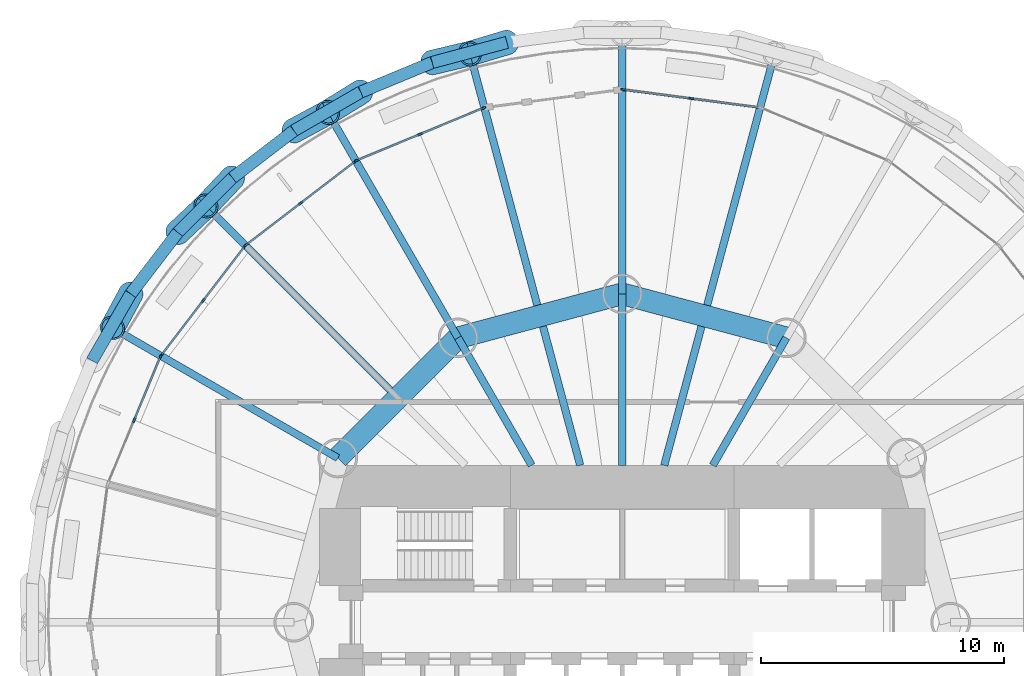
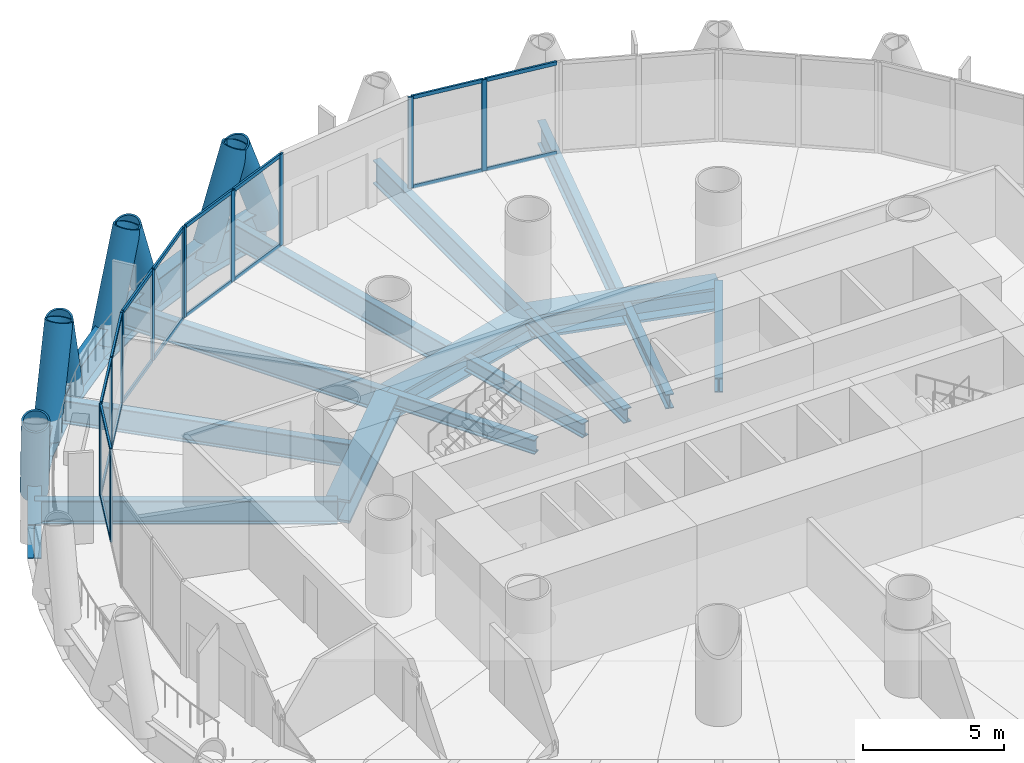
# One storey, part 6 of 15: 38 members, 21 beams, 5 elements without a shape of their own.
"""IFC4 building model written with IfcOpenShell, lengths in metres."""

from ifc_helpers import new_model, si_unit, direction, frame, origin, origin_2d, place, context, subcontext, project, spatial, rectangle, hollow_circle, i_section, extrude, material, material_profile, profile_set, type_object, element, aggregate, save


model = new_model("IFC4")

# Units and contexts
model_context = context("Model", 3, precision=1e-05, world=origin(), true_north=direction((0.0, 1.0)))
body_context = subcontext(model_context, "Body", "Model", "MODEL_VIEW")
ifc_project = project(units=[si_unit("LENGTHUNIT", "METRE"), si_unit("AREAUNIT", "SQUARE_METRE"), si_unit("VOLUMEUNIT", "CUBIC_METRE"), si_unit("PLANEANGLEUNIT", "RADIAN"), si_unit("MASSUNIT", "GRAM", prefix="KILO")], contexts=[model_context])

# Site, building, storey
site_placement = place(None, origin())
site = spatial("IfcSite", under=ifc_project, at=site_placement, CompositionType="ELEMENT")
building_placement = place(site_placement, origin())
building = spatial("IfcBuilding", under=site, at=building_placement, Name="Qaws Media Tower", CompositionType="ELEMENT")
storey_placement = place(building_placement, frame((0.0, 0.0, 189.800048828125)))
storey = spatial("IfcBuildingStorey", under=building, at=storey_placement, Name="L43", CompositionType="ELEMENT", Elevation=189.800048828125)

# Curtain wall, members
ifc_material_1 = material(Name="Aluminium and clear glass", Category="aluminium")
curtain_wall_type = type_object("IfcCurtainWallType", Name="Unitised curtain wall CW-B", PredefinedType="NOTDEFINED", material=ifc_material_1)
curtain_wall_1_placement = place(storey_placement, origin())
curtain_wall_1 = element("IfcCurtainWall", 1, at=curtain_wall_1_placement, inside=storey, type_object=curtain_wall_type, Name="CWB curtain wall L43-06", PredefinedType="NOTDEFINED")
ifc_material_2 = material(Name="Aluminium mullion", Category="aluminium")
ifc_material_profile_1 = material_profile(ifc_material_2, rectangle(XDim=0.080078125, YDim=0.199951171875, at=origin_2d()), Name="80x200")
ifc_profile_set_1 = profile_set([ifc_material_profile_1], Name="Aluminium mullion")
member_type_1 = type_object("IfcMemberType", Name="Curtain wall mullion 80x200", PredefinedType="MULLION", material=ifc_profile_set_1)
member_1_placement = place(storey_placement, frame((62.833984375, 71.52685546875, 0.0), z_axis=(0.0, 0.0, 1.0), x_axis=(-0.1305261247, -0.991444870263, 0.0)))
member_1 = element("IfcMember", 2, at=member_1_placement, type_object=member_type_1, Name="CWB mullion 2", PredefinedType="MULLION", context=body_context, shape_type="SweptSolid", body=[
    extrude(rectangle(XDim=0.080078125, YDim=0.199951171875, at=origin_2d()), origin(), (0.0, 0.0, 1.0), 3.949951171875),
])
member_2_placement = place(storey_placement, frame((60.03955078125, 71.894775390625, 0.0), z_axis=(0.0, 0.0, 1.0), x_axis=(-0.1305261247, -0.991444870263, 0.0)))
member_2 = element("IfcMember", 3, at=member_2_placement, type_object=member_type_1, Name="CWB mullion 3", PredefinedType="MULLION", context=body_context, shape_type="SweptSolid", body=[
    extrude(rectangle(XDim=0.080078125, YDim=0.199951171875, at=origin_2d()), origin(), (0.0, 0.0, 1.0), 3.949951171875),
])

curtain_wall_2_placement = place(storey_placement, origin())
curtain_wall_2 = element("IfcCurtainWall", 4, at=curtain_wall_2_placement, inside=storey, type_object=curtain_wall_type, Name="CWB curtain wall L43-08", PredefinedType="NOTDEFINED")
member_3_placement = place(storey_placement, frame((54.294921875, 71.138427734375, 0.0), z_axis=(0.0, 0.0, 1.0), x_axis=(0.382683538482, -0.923879488556, 0.0)))
member_3 = element("IfcMember", 5, at=member_3_placement, type_object=member_type_1, Name="CWB mullion 1", PredefinedType="MULLION", context=body_context, shape_type="SweptSolid", body=[
    extrude(rectangle(XDim=0.080078125, YDim=0.199951171875, at=origin_2d()), origin(), (0.0, 0.0, 1.0), 3.949951171875),
])
member_4_placement = place(storey_placement, frame((51.69091796875, 70.059814453125, 0.0), z_axis=(0.0, 0.0, 1.0), x_axis=(0.382683538482, -0.923879488556, 0.0)))
member_4 = element("IfcMember", 6, at=member_4_placement, type_object=member_type_1, Name="CWB mullion 2", PredefinedType="MULLION", context=body_context, shape_type="SweptSolid", body=[
    extrude(rectangle(XDim=0.080078125, YDim=0.199951171875, at=origin_2d()), origin(), (0.0, 0.0, 1.0), 3.949951171875),
])
member_5_placement = place(storey_placement, frame((49.0869140625, 68.981201171875, 0.0), z_axis=(0.0, 0.0, 1.0), x_axis=(0.382683538482, -0.923879488556, 0.0)))
member_5 = element("IfcMember", 7, at=member_5_placement, type_object=member_type_1, Name="CWB mullion 3", PredefinedType="MULLION", context=body_context, shape_type="SweptSolid", body=[
    extrude(rectangle(XDim=0.080078125, YDim=0.199951171875, at=origin_2d()), origin(), (0.0, 0.0, 1.0), 3.949951171875),
])

curtain_wall_3_placement = place(storey_placement, origin())
curtain_wall_3 = element("IfcCurtainWall", 8, at=curtain_wall_3_placement, inside=storey, type_object=curtain_wall_type, Name="CWB curtain wall L43-09", PredefinedType="NOTDEFINED")
member_6_placement = place(storey_placement, frame((49.018310546875, 68.941650390625, 0.0), z_axis=(0.0, 0.0, 1.0), x_axis=(0.608761295527, -0.793353442715, 0.0)))
member_6 = element("IfcMember", 9, at=member_6_placement, type_object=member_type_1, Name="CWB mullion 1", PredefinedType="MULLION", context=body_context, shape_type="SweptSolid", body=[
    extrude(rectangle(XDim=0.080078125, YDim=0.199951171875, at=origin_2d()), origin(), (0.0, 0.0, 1.0), 3.949951171875),
])
member_7_placement = place(storey_placement, frame((46.7822265625, 67.225830078125, 0.0), z_axis=(0.0, 0.0, 1.0), x_axis=(0.608761295527, -0.793353442715, 0.0)))
member_7 = element("IfcMember", 10, at=member_7_placement, type_object=member_type_1, Name="CWB mullion 2", PredefinedType="MULLION", context=body_context, shape_type="SweptSolid", body=[
    extrude(rectangle(XDim=0.080078125, YDim=0.199951171875, at=origin_2d()), origin(), (0.0, 0.0, 1.0), 3.949951171875),
])
member_8_placement = place(storey_placement, frame((44.546142578125, 65.510009765625, 0.0), z_axis=(0.0, 0.0, 1.0), x_axis=(0.608761295527, -0.793353442715, 0.0)))
member_8 = element("IfcMember", 11, at=member_8_placement, type_object=member_type_1, Name="CWB mullion 3", PredefinedType="MULLION", context=body_context, shape_type="SweptSolid", body=[
    extrude(rectangle(XDim=0.080078125, YDim=0.199951171875, at=origin_2d()), origin(), (0.0, 0.0, 1.0), 3.949951171875),
])

curtain_wall_4_placement = place(storey_placement, origin())
curtain_wall_4 = element("IfcCurtainWall", 12, at=curtain_wall_4_placement, inside=storey, type_object=curtain_wall_type, Name="CWB curtain wall L43-10", PredefinedType="NOTDEFINED")
member_9_placement = place(storey_placement, frame((44.489990234375, 65.453857421875, 0.0), z_axis=(0.0, 0.0, 1.0), x_axis=(0.793353442715, -0.608761295527, 0.0)))
member_9 = element("IfcMember", 13, at=member_9_placement, type_object=member_type_1, Name="CWB mullion 1", PredefinedType="MULLION", context=body_context, shape_type="SweptSolid", body=[
    extrude(rectangle(XDim=0.080078125, YDim=0.199951171875, at=origin_2d()), origin(), (0.0, 0.0, 1.0), 3.949951171875),
])
member_10_placement = place(storey_placement, frame((42.774169921875, 63.2177734375, 0.0), z_axis=(0.0, 0.0, 1.0), x_axis=(0.793353442715, -0.608761295527, 0.0)))
member_10 = element("IfcMember", 14, at=member_10_placement, type_object=member_type_1, Name="CWB mullion 2", PredefinedType="MULLION", context=body_context, shape_type="SweptSolid", body=[
    extrude(rectangle(XDim=0.080078125, YDim=0.199951171875, at=origin_2d()), origin(), (0.0, 0.0, 1.0), 3.949951171875),
])
member_11_placement = place(storey_placement, frame((41.058349609375, 60.981689453125, 0.0), z_axis=(0.0, 0.0, 1.0), x_axis=(0.793353442715, -0.608761295527, 0.0)))
member_11 = element("IfcMember", 15, at=member_11_placement, type_object=member_type_1, Name="CWB mullion 3", PredefinedType="MULLION", context=body_context, shape_type="SweptSolid", body=[
    extrude(rectangle(XDim=0.080078125, YDim=0.199951171875, at=origin_2d()), origin(), (0.0, 0.0, 1.0), 3.949951171875),
])

curtain_wall_5_placement = place(storey_placement, origin())
curtain_wall_5 = element("IfcCurtainWall", 16, at=curtain_wall_5_placement, inside=storey, type_object=curtain_wall_type, Name="CWB curtain wall L43-11", PredefinedType="NOTDEFINED")
member_12_placement = place(storey_placement, frame((41.018798828125, 60.9130859375, 0.0), z_axis=(0.0, 0.0, 1.0), x_axis=(0.923879488556, -0.382683538482, 0.0)))
member_12 = element("IfcMember", 17, at=member_12_placement, type_object=member_type_1, Name="CWB mullion 1", PredefinedType="MULLION", context=body_context, shape_type="SweptSolid", body=[
    extrude(rectangle(XDim=0.080078125, YDim=0.199951171875, at=origin_2d()), origin(), (0.0, 0.0, 1.0), 3.949951171875),
])
member_13_placement = place(storey_placement, frame((39.940185546875, 58.30908203125, 0.0), z_axis=(0.0, 0.0, 1.0), x_axis=(0.923879488556, -0.382683538482, 0.0)))
member_13 = element("IfcMember", 18, at=member_13_placement, type_object=member_type_1, Name="CWB mullion 2", PredefinedType="MULLION", context=body_context, shape_type="SweptSolid", body=[
    extrude(rectangle(XDim=0.080078125, YDim=0.199951171875, at=origin_2d()), origin(), (0.0, 0.0, 1.0), 3.949951171875),
])

# Member
ifc_material_3 = material(Name="Aluminium transom", Category="aluminium")
ifc_material_profile_2 = material_profile(ifc_material_3, rectangle(XDim=0.080078125, YDim=0.159912109375, at=origin_2d()), Name="80x160")
ifc_profile_set_2 = profile_set([ifc_material_profile_2], Name="Aluminium transom")
member_type_2 = type_object("IfcMemberType", Name="Curtain wall transom 80x160", PredefinedType="USERDEFINED", material=ifc_profile_set_2)
member_14_placement = place(storey_placement, frame((65.5888671875, 71.164306640625, 0.0400390625), z_axis=(-0.991446100695, 0.130516778295, 0.0), x_axis=(-0.130516778295, -0.991446100695, 0.0)))
member_14 = element("IfcMember", 19, at=member_14_placement, type_object=member_type_2, Name="CWB transom 1.1", ObjectType="TRANSOM", PredefinedType="USERDEFINED", context=body_context, shape_type="SweptSolid", body=[
    extrude(rectangle(XDim=0.080078125, YDim=0.159912109375, at=origin_2d()), origin(), (0.0, 0.0, 1.0), 2.738525390625),
])

member_15_placement = place(storey_placement, frame((65.5888671875, 71.164306640625, 3.909912109375), z_axis=(-0.991446100695, 0.130516778295, 0.0), x_axis=(-0.130516778295, -0.991446100695, 0.0)))
member_15 = element("IfcMember", 20, at=member_15_placement, type_object=member_type_2, Name="CWB transom 1.2", ObjectType="TRANSOM", PredefinedType="USERDEFINED", context=body_context, shape_type="SweptSolid", body=[
    extrude(rectangle(XDim=0.080078125, YDim=0.159912109375, at=origin_2d()), origin(), (0.0, 0.0, 1.0), 2.738525390625),
])

member_16_placement = place(storey_placement, frame((62.79443359375, 71.5322265625, 0.0400390625), z_axis=(-0.991446100695, 0.130516778295, 0.0), x_axis=(-0.130516778295, -0.991446100695, 0.0)))
member_16 = element("IfcMember", 21, at=member_16_placement, type_object=member_type_2, Name="CWB transom 2.1", ObjectType="TRANSOM", PredefinedType="USERDEFINED", context=body_context, shape_type="SweptSolid", body=[
    extrude(rectangle(XDim=0.080078125, YDim=0.159912109375, at=origin_2d()), origin(), (0.0, 0.0, 1.0), 2.738525390625),
])

member_17_placement = place(storey_placement, frame((62.79443359375, 71.5322265625, 3.909912109375), z_axis=(-0.991446100695, 0.130516778295, 0.0), x_axis=(-0.130516778295, -0.991446100695, 0.0)))
member_17 = element("IfcMember", 22, at=member_17_placement, type_object=member_type_2, Name="CWB transom 2.2", ObjectType="TRANSOM", PredefinedType="USERDEFINED", context=body_context, shape_type="SweptSolid", body=[
    extrude(rectangle(XDim=0.080078125, YDim=0.159912109375, at=origin_2d()), origin(), (0.0, 0.0, 1.0), 2.738525390625),
])

aggregate(curtain_wall_1, [member_1, member_2, member_14, member_15, member_16, member_17])

member_18_placement = place(storey_placement, frame((54.258056640625, 71.123046875, 0.0400390625), z_axis=(-0.923908190995, -0.382614237336, 0.0), x_axis=(0.382614237336, -0.923908190995, 0.0)))
member_18 = element("IfcMember", 23, at=member_18_placement, type_object=member_type_2, Name="CWB transom 1.1", ObjectType="TRANSOM", PredefinedType="USERDEFINED", context=body_context, shape_type="SweptSolid", body=[
    extrude(rectangle(XDim=0.080078125, YDim=0.159912109375, at=origin_2d()), origin(), (0.0, 0.0, 1.0), 2.73876953125),
])

member_19_placement = place(storey_placement, frame((54.258056640625, 71.123046875, 3.909912109375), z_axis=(-0.923908190995, -0.382614237336, 0.0), x_axis=(0.382614237336, -0.923908190995, 0.0)))
member_19 = element("IfcMember", 24, at=member_19_placement, type_object=member_type_2, Name="CWB transom 1.2", ObjectType="TRANSOM", PredefinedType="USERDEFINED", context=body_context, shape_type="SweptSolid", body=[
    extrude(rectangle(XDim=0.080078125, YDim=0.159912109375, at=origin_2d()), origin(), (0.0, 0.0, 1.0), 2.73876953125),
])

member_20_placement = place(storey_placement, frame((51.654052734375, 70.044677734375, 0.0400390625), z_axis=(-0.923863619066, -0.382721848562, 0.0), x_axis=(0.382721848562, -0.923863619066, 0.0)))
member_20 = element("IfcMember", 25, at=member_20_placement, type_object=member_type_2, Name="CWB transom 2.1", ObjectType="TRANSOM", PredefinedType="USERDEFINED", context=body_context, shape_type="SweptSolid", body=[
    extrude(rectangle(XDim=0.080078125, YDim=0.159912109375, at=origin_2d()), origin(), (0.0, 0.0, 1.0), 2.738525390625),
])

member_21_placement = place(storey_placement, frame((51.654052734375, 70.044677734375, 3.909912109375), z_axis=(-0.923863619066, -0.382721848562, 0.0), x_axis=(0.382721848562, -0.923863619066, 0.0)))
member_21 = element("IfcMember", 26, at=member_21_placement, type_object=member_type_2, Name="CWB transom 2.2", ObjectType="TRANSOM", PredefinedType="USERDEFINED", context=body_context, shape_type="SweptSolid", body=[
    extrude(rectangle(XDim=0.080078125, YDim=0.159912109375, at=origin_2d()), origin(), (0.0, 0.0, 1.0), 2.738525390625),
])

aggregate(curtain_wall_2, [member_3, member_4, member_5, member_18, member_19, member_20, member_21])

member_22_placement = place(storey_placement, frame((48.986572265625, 68.917236328125, 0.0400390625), z_axis=(-0.793372408644, -0.608736577842, 0.0), x_axis=(0.608736577842, -0.793372408644, 0.0)))
member_22 = element("IfcMember", 27, at=member_22_placement, type_object=member_type_2, Name="CWB transom 1.1", ObjectType="TRANSOM", PredefinedType="USERDEFINED", context=body_context, shape_type="SweptSolid", body=[
    extrude(rectangle(XDim=0.080078125, YDim=0.159912109375, at=origin_2d()), origin(), (0.0, 0.0, 1.0), 2.738525390625),
])

member_23_placement = place(storey_placement, frame((48.986572265625, 68.917236328125, 3.909912109375), z_axis=(-0.793372408644, -0.608736577842, 0.0), x_axis=(0.608736577842, -0.793372408644, 0.0)))
member_23 = element("IfcMember", 28, at=member_23_placement, type_object=member_type_2, Name="CWB transom 1.2", ObjectType="TRANSOM", PredefinedType="USERDEFINED", context=body_context, shape_type="SweptSolid", body=[
    extrude(rectangle(XDim=0.080078125, YDim=0.159912109375, at=origin_2d()), origin(), (0.0, 0.0, 1.0), 2.738525390625),
])

member_24_placement = place(storey_placement, frame((46.75048828125, 67.201416015625, 0.0400390625), z_axis=(-0.793372408644, -0.608736577842, 0.0), x_axis=(0.608736577842, -0.793372408644, 0.0)))
member_24 = element("IfcMember", 29, at=member_24_placement, type_object=member_type_2, Name="CWB transom 2.1", ObjectType="TRANSOM", PredefinedType="USERDEFINED", context=body_context, shape_type="SweptSolid", body=[
    extrude(rectangle(XDim=0.080078125, YDim=0.159912109375, at=origin_2d()), origin(), (0.0, 0.0, 1.0), 2.738525390625),
])

member_25_placement = place(storey_placement, frame((46.75048828125, 67.201416015625, 3.909912109375), z_axis=(-0.793372408644, -0.608736577842, 0.0), x_axis=(0.608736577842, -0.793372408644, 0.0)))
member_25 = element("IfcMember", 30, at=member_25_placement, type_object=member_type_2, Name="CWB transom 2.2", ObjectType="TRANSOM", PredefinedType="USERDEFINED", context=body_context, shape_type="SweptSolid", body=[
    extrude(rectangle(XDim=0.080078125, YDim=0.159912109375, at=origin_2d()), origin(), (0.0, 0.0, 1.0), 2.738525390625),
])

aggregate(curtain_wall_3, [member_6, member_7, member_8, member_22, member_23, member_24, member_25])

member_26_placement = place(storey_placement, frame((44.465576171875, 65.422119140625, 0.0400390625), z_axis=(-0.608736577842, -0.793372408644, 0.0), x_axis=(0.793372408644, -0.608736577842, 0.0)))
member_26 = element("IfcMember", 31, at=member_26_placement, type_object=member_type_2, Name="CWB transom 1.1", ObjectType="TRANSOM", PredefinedType="USERDEFINED", context=body_context, shape_type="SweptSolid", body=[
    extrude(rectangle(XDim=0.080078125, YDim=0.159912109375, at=origin_2d()), origin(), (0.0, 0.0, 1.0), 2.738525390625),
])

member_27_placement = place(storey_placement, frame((44.465576171875, 65.422119140625, 3.909912109375), z_axis=(-0.608736577842, -0.793372408644, 0.0), x_axis=(0.793372408644, -0.608736577842, 0.0)))
member_27 = element("IfcMember", 32, at=member_27_placement, type_object=member_type_2, Name="CWB transom 1.2", ObjectType="TRANSOM", PredefinedType="USERDEFINED", context=body_context, shape_type="SweptSolid", body=[
    extrude(rectangle(XDim=0.080078125, YDim=0.159912109375, at=origin_2d()), origin(), (0.0, 0.0, 1.0), 2.738525390625),
])

member_28_placement = place(storey_placement, frame((42.749755859375, 63.18603515625, 0.0400390625), z_axis=(-0.608736577842, -0.793372408644, 0.0), x_axis=(0.793372408644, -0.608736577842, 0.0)))
member_28 = element("IfcMember", 33, at=member_28_placement, type_object=member_type_2, Name="CWB transom 2.1", ObjectType="TRANSOM", PredefinedType="USERDEFINED", context=body_context, shape_type="SweptSolid", body=[
    extrude(rectangle(XDim=0.080078125, YDim=0.159912109375, at=origin_2d()), origin(), (0.0, 0.0, 1.0), 2.738525390625),
])

member_29_placement = place(storey_placement, frame((42.749755859375, 63.18603515625, 3.909912109375), z_axis=(-0.608736577842, -0.793372408644, 0.0), x_axis=(0.793372408644, -0.608736577842, 0.0)))
member_29 = element("IfcMember", 34, at=member_29_placement, type_object=member_type_2, Name="CWB transom 2.2", ObjectType="TRANSOM", PredefinedType="USERDEFINED", context=body_context, shape_type="SweptSolid", body=[
    extrude(rectangle(XDim=0.080078125, YDim=0.159912109375, at=origin_2d()), origin(), (0.0, 0.0, 1.0), 2.738525390625),
])

aggregate(curtain_wall_4, [member_9, member_10, member_11, member_26, member_27, member_28, member_29])

member_30_placement = place(storey_placement, frame((41.00341796875, 60.8759765625, 0.0400390625), z_axis=(-0.382721848562, -0.923863619066, 0.0), x_axis=(0.923863619066, -0.382721848562, 0.0)))
member_30 = element("IfcMember", 35, at=member_30_placement, type_object=member_type_2, Name="CWB transom 1.1", ObjectType="TRANSOM", PredefinedType="USERDEFINED", context=body_context, shape_type="SweptSolid", body=[
    extrude(rectangle(XDim=0.080078125, YDim=0.159912109375, at=origin_2d()), origin(), (0.0, 0.0, 1.0), 2.738525390625),
])

member_31_placement = place(storey_placement, frame((41.00341796875, 60.8759765625, 3.909912109375), z_axis=(-0.382721848562, -0.923863619066, 0.0), x_axis=(0.923863619066, -0.382721848562, 0.0)))
member_31 = element("IfcMember", 36, at=member_31_placement, type_object=member_type_2, Name="CWB transom 1.2", ObjectType="TRANSOM", PredefinedType="USERDEFINED", context=body_context, shape_type="SweptSolid", body=[
    extrude(rectangle(XDim=0.080078125, YDim=0.159912109375, at=origin_2d()), origin(), (0.0, 0.0, 1.0), 2.738525390625),
])

aggregate(curtain_wall_5, [member_12, member_13, member_30, member_31])

# Members
ifc_material_4 = material(Name="Steel S460", Category="steel")
ifc_material_profile_3 = material_profile(ifc_material_4, hollow_circle(Radius=0.508056640625, WallThickness=0.070068359375, at=origin_2d()), Name="CHS 1016x70")
ifc_profile_set_3 = profile_set([ifc_material_profile_3], Name="Steel S460")
member_type_3 = type_object("IfcMemberType", Name="Diagrid member CHS 1016x70", PredefinedType="USERDEFINED", material=ifc_profile_set_3)
for number, where, z_axis, x_axis, name in (
    (37, (55.25927734375, 73.8330078125, -0.91015625), (-0.345525971194, -0.103818449578, 0.932648665231), (0.287756392194, -0.957703638268, 0.0), "DG3 diagrid L43 A07"),
    (38, (49.25244140625, 71.7939453125, -0.91015625), (-0.306907804695, -0.189739933408, 0.932634096035), (0.52585239263, -0.850575840925, 0.0), "DG3 diagrid L43 A08"),
    (39, (52.18896484375, 73.010498046875, -0.91015625), (0.351173528591, 0.082821332267, 0.93264021988), (-0.229544227217, 0.973298231659, 0.0), "DG3 diagrid L43 B08"),
    (40, (43.977783203125, 68.269775390625, -0.91015625), (-0.247302170828, -0.262703157273, 0.932646067628), (0.72812786304, -0.685441328682, 0.0), "DG3 diagrid L43 A09"),
):
    element("IfcMember", number, at=place(storey_placement, frame(where, z_axis=z_axis, x_axis=x_axis)), inside=storey, type_object=member_type_3, Name=name, ObjectType="DIAGRID", PredefinedType="USERDEFINED", context=body_context, shape_type="SweptSolid", body=[
        extrude(hollow_circle(Radius=0.508056640625, WallThickness=0.070068359375, at=origin_2d()), origin(), (0.0, 0.0, 1.0), 4.406982421875),
    ])
for number, where, z_axis, x_axis, name in (
    (41, (46.499755859375, 70.204833984375, -0.91015625), (0.317720727472, 0.170854528949, 0.932664070967), (-0.473614380652, 0.880732319402, 0.0), "DG3 diagrid L43 B09"),
    (42, (39.795166015625, 63.500244140625, -0.91015625), (-0.170854528949, -0.317720727472, 0.932664070967), (0.880732319402, -0.473614380652, 0.0), "DG3 diagrid L43 A10"),
):
    element("IfcMember", number, at=place(storey_placement, frame(where, z_axis=z_axis, x_axis=x_axis)), inside=storey, type_object=member_type_3, Name=name, ObjectType="DIAGRID", PredefinedType="USERDEFINED", context=body_context, shape_type="SweptSolid", body=[
        extrude(hollow_circle(Radius=0.508056640625, WallThickness=0.070068359375, at=origin_2d()), origin(), (0.0, 0.0, 1.0), 4.40673828125),
    ])
member_32_placement = place(storey_placement, frame((41.730224609375, 66.022216796875, -0.91015625), z_axis=(0.262703157273, 0.247302170828, 0.932646067628), x_axis=(-0.685441328682, 0.72812786304, 0.0)))
element("IfcMember", 43, at=member_32_placement, inside=storey, type_object=member_type_3, Name="DG3 diagrid L43 B10", ObjectType="DIAGRID", PredefinedType="USERDEFINED", context=body_context, shape_type="SweptSolid", body=[
    extrude(hollow_circle(Radius=0.508056640625, WallThickness=0.070068359375, at=origin_2d()), origin(), (0.0, 0.0, 1.0), 4.406982421875),
])

# Beams
ifc_material_5 = material(Name="Steel S460", Category="steel")
ifc_material_profile_4 = material_profile(ifc_material_5, i_section(OverallWidth=0.5, OverallDepth=1.5, WebThickness=0.02001953125, FlangeThickness=0.0400390625, at=origin_2d()), Name="PG 1500x500")
ifc_profile_set_4 = profile_set([ifc_material_profile_4], Name="Steel S460")
beam_type_1 = type_object("IfcBeamType", Name="Edge ring beam PG 1500x500", PredefinedType="BEAM", material=ifc_profile_set_4)
for number, where, z_axis, x_axis, name in (
    (44, (55.25927734375, 73.8330078125, -0.91015625), (-0.965939824014, -0.258766799229, 0.0), (0.258766799229, -0.965939824014, 0.0), "RB4 edge ring beam L43-14"),
    (45, (52.18896484375, 73.010498046875, -0.91015625), (-0.923856739586, -0.382738454719, 0.0), (0.382738454719, -0.923856739586, 0.0), "RB4 edge ring beam L43-15"),
    (46, (49.25244140625, 71.7939453125, -0.91015625), (-0.866046166898, -0.499964035507, 0.0), (0.499964035507, -0.866046166898, 0.0), "RB4 edge ring beam L43-16"),
):
    element("IfcBeam", number, at=place(storey_placement, frame(where, z_axis=z_axis, x_axis=x_axis)), inside=storey, type_object=beam_type_1, Name=name, PredefinedType="BEAM", context=body_context, shape_type="SweptSolid", body=[
        extrude(i_section(OverallWidth=0.5, OverallDepth=1.5, WebThickness=0.02001953125, FlangeThickness=0.0400390625, at=origin_2d()), origin(), (0.0, 0.0, 1.0), 3.178466796875),
    ])
beam_1_placement = place(storey_placement, frame((46.499755859375, 70.204833984375, -0.91015625), z_axis=(-0.7933714333, -0.608737849016, 0.0), x_axis=(0.608737849016, -0.7933714333, 0.0)))
element("IfcBeam", 47, at=beam_1_placement, inside=storey, type_object=beam_type_1, Name="RB4 edge ring beam L43-17", PredefinedType="BEAM", context=body_context, shape_type="SweptSolid", body=[
    extrude(i_section(OverallWidth=0.5, OverallDepth=1.5, WebThickness=0.02001953125, FlangeThickness=0.0400390625, at=origin_2d()), origin(), (0.0, 0.0, 1.0), 3.1787109375),
])
beam_2_placement = place(storey_placement, frame((43.977783203125, 68.269775390625, -0.91015625), z_axis=(-0.707106781187, -0.707106781187, 0.0), x_axis=(0.707106781187, -0.707106781187, 0.0)))
element("IfcBeam", 48, at=beam_2_placement, inside=storey, type_object=beam_type_1, Name="RB4 edge ring beam L43-18", PredefinedType="BEAM", context=body_context, shape_type="SweptSolid", body=[
    extrude(i_section(OverallWidth=0.5, OverallDepth=1.5, WebThickness=0.02001953125, FlangeThickness=0.0400390625, at=origin_2d()), origin(), (0.0, 0.0, 1.0), 3.178466796875),
])
beam_3_placement = place(storey_placement, frame((41.730224609375, 66.022216796875, -0.91015625), z_axis=(-0.608737849016, -0.7933714333, 0.0), x_axis=(0.7933714333, -0.608737849016, 0.0)))
element("IfcBeam", 49, at=beam_3_placement, inside=storey, type_object=beam_type_1, Name="RB4 edge ring beam L43-19", PredefinedType="BEAM", context=body_context, shape_type="SweptSolid", body=[
    extrude(i_section(OverallWidth=0.5, OverallDepth=1.5, WebThickness=0.02001953125, FlangeThickness=0.0400390625, at=origin_2d()), origin(), (0.0, 0.0, 1.0), 3.1787109375),
])
beam_4_placement = place(storey_placement, frame((39.795166015625, 63.500244140625, -0.91015625), z_axis=(-0.499964035507, -0.866046166898, 0.0), x_axis=(0.866046166898, -0.499964035507, 0.0)))
element("IfcBeam", 50, at=beam_4_placement, inside=storey, type_object=beam_type_1, Name="RB4 edge ring beam L43-20", PredefinedType="BEAM", context=body_context, shape_type="SweptSolid", body=[
    extrude(i_section(OverallWidth=0.5, OverallDepth=1.5, WebThickness=0.02001953125, FlangeThickness=0.0400390625, at=origin_2d()), origin(), (0.0, 0.0, 1.0), 3.178466796875),
])
ifc_material_6 = material(Name="Steel S460", Category="steel")
ifc_material_profile_5 = material_profile(ifc_material_6, i_section(OverallWidth=0.89990234375, OverallDepth=1.0, WebThickness=0.044921875, FlangeThickness=0.110107421875, at=origin_2d()), Name="PG 1000x900")
ifc_profile_set_5 = profile_set([ifc_material_profile_5], Name="Steel S460")
beam_type_2 = type_object("IfcBeamType", Name="Inner ring girder PG 1000x900", PredefinedType="BEAM", material=ifc_profile_set_5)
for number, where, z_axis, x_axis, name in (
    (51, (66.75, 61.69140625, -0.66015625), (-0.965928090778, 0.258810593767, 0.0), (-0.258810593767, -0.965928090778, 0.0), "B3 inner ring beam L43 I03-I04"),
    (52, (60.0, 63.5, -0.66015625), (-0.965928090778, -0.258810593767, 0.0), (0.258810593767, -0.965928090778, 0.0), "B3 inner ring beam L43 I04-I05"),
):
    element("IfcBeam", number, at=place(storey_placement, frame(where, z_axis=z_axis, x_axis=x_axis)), inside=storey, type_object=beam_type_2, Name=name, PredefinedType="BEAM", context=body_context, shape_type="SweptSolid", body=[
        extrude(i_section(OverallWidth=0.89990234375, OverallDepth=1.0, WebThickness=0.044921875, FlangeThickness=0.110107421875, at=origin_2d()), origin(), (0.0, 0.0, 1.0), 6.988037109375),
    ])
beam_5_placement = place(storey_placement, frame((53.25, 61.69140625, -0.66015625), z_axis=(-0.707106781187, -0.707106781187, 0.0), x_axis=(0.707106781187, -0.707106781187, 0.0)))
element("IfcBeam", 53, at=beam_5_placement, inside=storey, type_object=beam_type_2, Name="B3 inner ring beam L43 I05-I06", PredefinedType="BEAM", context=body_context, shape_type="SweptSolid", body=[
    extrude(i_section(OverallWidth=0.89990234375, OverallDepth=1.0, WebThickness=0.044921875, FlangeThickness=0.110107421875, at=origin_2d()), origin(), (0.0, 0.0, 1.0), 6.98828125),
])
ifc_material_7 = material(Name="Steel S355", Category="steel")
ifc_material_profile_6 = material_profile(ifc_material_7, i_section(OverallWidth=0.302001953125, OverallDepth=1.008056640625, WebThickness=0.02099609375, FlangeThickness=0.0400390625, FilletRadius=0.030029296875, at=origin_2d()), Name="HE 1000 M")
ifc_profile_set_6 = profile_set([ifc_material_profile_6], Name="Steel S355")
beam_type_3 = type_object("IfcBeamType", Name="Radial beam HE 1000 M", PredefinedType="BEAM", material=ifc_profile_set_6)
beam_6_placement = place(storey_placement, frame((63.491455078125, 63.0302734375, -0.6640625), z_axis=(0.258824942473, 0.965924246074, 0.0), x_axis=(-0.965924246074, 0.258824942473, 0.0)))
element("IfcBeam", 54, at=beam_6_placement, inside=storey, type_object=beam_type_3, Name="B1 radial beam L43 06", PredefinedType="BEAM", context=body_context, shape_type="SweptSolid", body=[
    extrude(i_section(OverallWidth=0.302001953125, OverallDepth=1.008056640625, WebThickness=0.02099609375, FlangeThickness=0.0400390625, FilletRadius=0.030029296875, at=origin_2d()), origin(), (0.0, 0.0, 1.0), 10.758056640625),
])
beam_7_placement = place(storey_placement, frame((60.0, 63.5, -0.6640625), z_axis=(0.0, 1.0, 0.0), x_axis=(-1.0, 0.0, 0.0)))
element("IfcBeam", 55, at=beam_7_placement, inside=storey, type_object=beam_type_3, Name="B1 radial beam L43 07", PredefinedType="BEAM", context=body_context, shape_type="SweptSolid", body=[
    extrude(i_section(OverallWidth=0.302001953125, OverallDepth=1.008056640625, WebThickness=0.02099609375, FlangeThickness=0.0400390625, FilletRadius=0.030029296875, at=origin_2d()), origin(), (0.0, 0.0, 1.0), 10.748046875),
])
beam_8_placement = place(storey_placement, frame((56.508544921875, 63.0302734375, -0.6640625), z_axis=(-0.258824942473, 0.965924246074, 0.0), x_axis=(-0.965924246074, -0.258824942473, 0.0)))
element("IfcBeam", 56, at=beam_8_placement, inside=storey, type_object=beam_type_3, Name="B1 radial beam L43 08", PredefinedType="BEAM", context=body_context, shape_type="SweptSolid", body=[
    extrude(i_section(OverallWidth=0.302001953125, OverallDepth=1.008056640625, WebThickness=0.02099609375, FlangeThickness=0.0400390625, FilletRadius=0.030029296875, at=origin_2d()), origin(), (0.0, 0.0, 1.0), 10.758056640625),
])
beam_9_placement = place(storey_placement, frame((53.25, 61.69140625, -0.6640625), z_axis=(-0.500008875753, 0.866020279306, 0.0), x_axis=(-0.866020279306, -0.500008875753, 0.0)))
element("IfcBeam", 57, at=beam_9_placement, inside=storey, type_object=beam_type_3, Name="B1 radial beam L43 09", PredefinedType="BEAM", context=body_context, shape_type="SweptSolid", body=[
    extrude(i_section(OverallWidth=0.302001953125, OverallDepth=1.008056640625, WebThickness=0.02099609375, FlangeThickness=0.0400390625, FilletRadius=0.030029296875, at=origin_2d()), origin(), (0.0, 0.0, 1.0), 10.747802734375),
])
beam_10_placement = place(storey_placement, frame((50.461181640625, 59.538818359375, -0.6640625), z_axis=(-0.707106781187, 0.707106781187, 0.0), x_axis=(-0.707106781187, -0.707106781187, 0.0)))
element("IfcBeam", 58, at=beam_10_placement, inside=storey, type_object=beam_type_3, Name="B1 radial beam L43 10", PredefinedType="BEAM", context=body_context, shape_type="SweptSolid", body=[
    extrude(i_section(OverallWidth=0.302001953125, OverallDepth=1.008056640625, WebThickness=0.02099609375, FlangeThickness=0.0400390625, FilletRadius=0.030029296875, at=origin_2d()), origin(), (0.0, 0.0, 1.0), 10.758056640625),
])
beam_11_placement = place(storey_placement, frame((48.30859375, 56.75, -0.6640625), z_axis=(-0.866020279306, 0.500008875753, 0.0), x_axis=(-0.500008875753, -0.866020279306, 0.0)))
element("IfcBeam", 59, at=beam_11_placement, inside=storey, type_object=beam_type_3, Name="B1 radial beam L43 11", PredefinedType="BEAM", context=body_context, shape_type="SweptSolid", body=[
    extrude(i_section(OverallWidth=0.302001953125, OverallDepth=1.008056640625, WebThickness=0.02099609375, FlangeThickness=0.0400390625, FilletRadius=0.030029296875, at=origin_2d()), origin(), (0.0, 0.0, 1.0), 10.747802734375),
])
ifc_material_8 = material(Name="Steel S355", Category="steel")
ifc_material_profile_7 = material_profile(ifc_material_8, i_section(OverallWidth=0.304931640625, OverallDepth=0.6201171875, WebThickness=0.02099609375, FlangeThickness=0.0400390625, FilletRadius=0.027099609375, at=origin_2d()), Name="HE 600 M")
ifc_profile_set_7 = profile_set([ifc_material_profile_7], Name="Steel S355")
beam_type_4 = type_object("IfcBeamType", Name="Radial beam HE 600 M, core side", PredefinedType="BEAM", material=ifc_profile_set_7)
beam_12_placement = place(storey_placement, frame((63.723876953125, 56.449951171875, -0.469970703125), z_axis=(0.499995978368, 0.866027725662, 0.0), x_axis=(-0.866027725662, 0.499995978368, 0.0)))
element("IfcBeam", 60, at=beam_12_placement, inside=storey, type_object=beam_type_4, Name="B2 radial beam L43 05", PredefinedType="BEAM", context=body_context, shape_type="SweptSolid", body=[
    extrude(i_section(OverallWidth=0.304931640625, OverallDepth=0.6201171875, WebThickness=0.02099609375, FlangeThickness=0.0400390625, FilletRadius=0.027099609375, at=origin_2d()), origin(), (0.0, 0.0, 1.0), 6.05224609375),
])
beam_13_placement = place(storey_placement, frame((61.728271484375, 56.449951171875, -0.469970703125), z_axis=(0.258824149545, 0.965924458543, 0.0), x_axis=(-0.965924458543, 0.258824149545, 0.0)))
element("IfcBeam", 61, at=beam_13_placement, inside=storey, type_object=beam_type_4, Name="B2 radial beam L43 06", PredefinedType="BEAM", context=body_context, shape_type="SweptSolid", body=[
    extrude(i_section(OverallWidth=0.304931640625, OverallDepth=0.6201171875, WebThickness=0.02099609375, FlangeThickness=0.0400390625, FilletRadius=0.027099609375, at=origin_2d()), origin(), (0.0, 0.0, 1.0), 5.912353515625),
])
beam_14_placement = place(storey_placement, frame((60.0, 56.449951171875, -0.469970703125), z_axis=(0.0, 1.0, 0.0), x_axis=(-1.0, 0.0, 0.0)))
element("IfcBeam", 62, at=beam_14_placement, inside=storey, type_object=beam_type_4, Name="B2 radial beam L43 07", PredefinedType="BEAM", context=body_context, shape_type="SweptSolid", body=[
    extrude(i_section(OverallWidth=0.304931640625, OverallDepth=0.6201171875, WebThickness=0.02099609375, FlangeThickness=0.0400390625, FilletRadius=0.027099609375, at=origin_2d()), origin(), (0.0, 0.0, 1.0), 7.050048828125),
])
beam_15_placement = place(storey_placement, frame((58.271728515625, 56.449951171875, -0.469970703125), z_axis=(-0.258824149545, 0.965924458543, 0.0), x_axis=(-0.965924458543, -0.258824149545, 0.0)))
element("IfcBeam", 63, at=beam_15_placement, inside=storey, type_object=beam_type_4, Name="B2 radial beam L43 08", PredefinedType="BEAM", context=body_context, shape_type="SweptSolid", body=[
    extrude(i_section(OverallWidth=0.304931640625, OverallDepth=0.6201171875, WebThickness=0.02099609375, FlangeThickness=0.0400390625, FilletRadius=0.027099609375, at=origin_2d()), origin(), (0.0, 0.0, 1.0), 5.912353515625),
])
beam_16_placement = place(storey_placement, frame((56.276123046875, 56.449951171875, -0.469970703125), z_axis=(-0.499995978368, 0.866027725662, 0.0), x_axis=(-0.866027725662, -0.499995978368, 0.0)))
element("IfcBeam", 64, at=beam_16_placement, inside=storey, type_object=beam_type_4, Name="B2 radial beam L43 09", PredefinedType="BEAM", context=body_context, shape_type="SweptSolid", body=[
    extrude(i_section(OverallWidth=0.304931640625, OverallDepth=0.6201171875, WebThickness=0.02099609375, FlangeThickness=0.0400390625, FilletRadius=0.027099609375, at=origin_2d()), origin(), (0.0, 0.0, 1.0), 6.05224609375),
])

save(model, "model.ifc")
